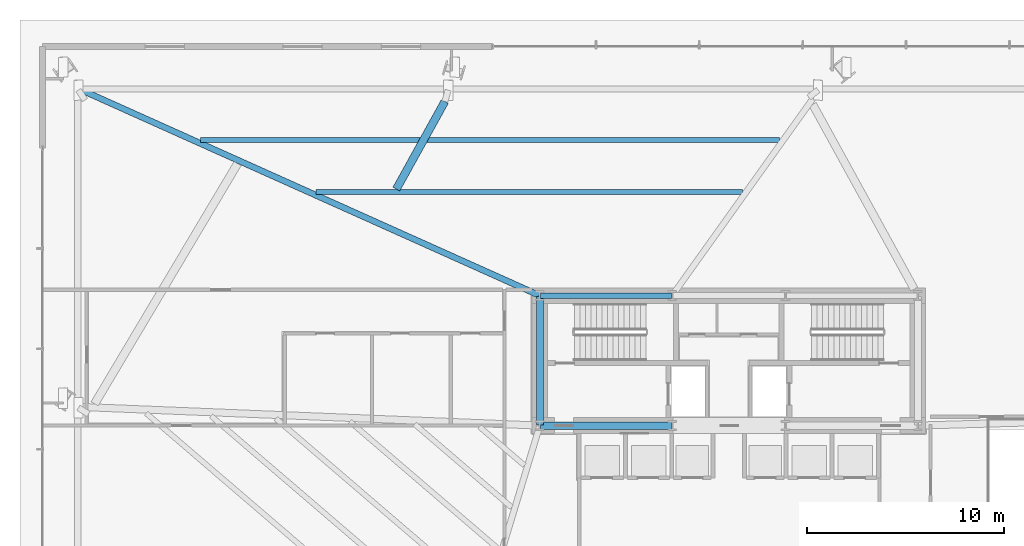
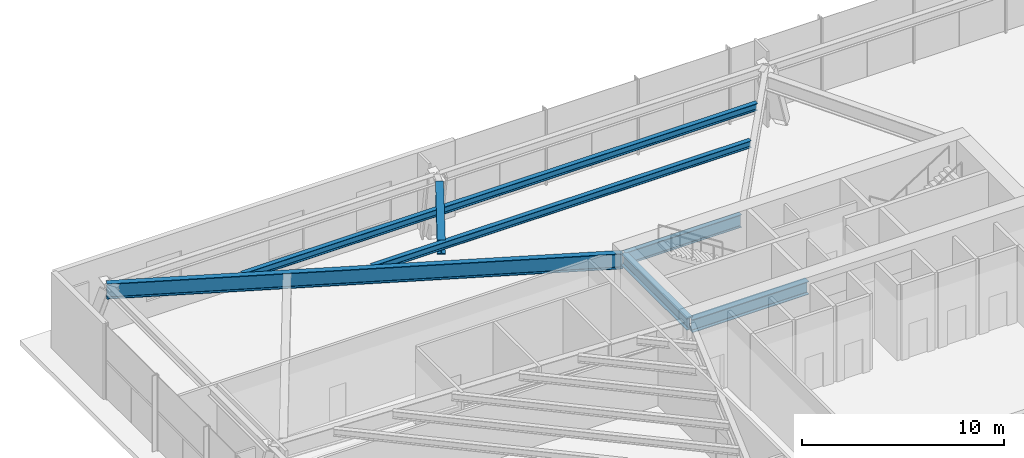
# One storey, part 11 of 31: 7 beams.
"""IFC4 building model written with IfcOpenShell, lengths in metres."""

from ifc_helpers import new_model, si_unit, direction, frame, origin, origin_2d, place, context, subcontext, project, spatial, i_section, extrude, source, transform, mapped, material, material_profile, profile_set, type_object, type_shapes, element, save


model = new_model("IFC4")

# Units and contexts
model_context = context("Model", 3, precision=1e-05, world=origin(), true_north=direction((0.0, 1.0)))
body_context = subcontext(model_context, "Body", "Model", "MODEL_VIEW")
ifc_project = project(units=[si_unit("LENGTHUNIT", "METRE"), si_unit("AREAUNIT", "SQUARE_METRE"), si_unit("VOLUMEUNIT", "CUBIC_METRE"), si_unit("PLANEANGLEUNIT", "RADIAN"), si_unit("MASSUNIT", "GRAM", prefix="KILO")], contexts=[model_context])

# Site, building, storey
site_placement = place(None, origin())
site = spatial("IfcSite", under=ifc_project, at=site_placement, CompositionType="ELEMENT")
building_placement = place(site_placement, origin())
building = spatial("IfcBuilding", under=site, at=building_placement, Name="Astriad Promenade Condominiums", CompositionType="ELEMENT")
storey_placement = place(building_placement, origin())
storey = spatial("IfcBuildingStorey", under=building, at=storey_placement, Name="L00", CompositionType="ELEMENT", Elevation=0.0)

# Beams
ifc_material = material(Name="Steel ASTM A992 Grade 50", Category="steel")
ifc_material_profile_1 = material_profile(ifc_material, i_section(OverallWidth=0.3837890625, OverallDepth=0.785888671875, WebThickness=0.019775390625, FlangeThickness=0.033447265625, FilletRadius=0.021484375, at=origin_2d()), Name="W30X211")
ifc_profile_set_1 = profile_set([ifc_material_profile_1], Name="Steel ASTM A992 Grade 50")
beam_type_1 = type_object("IfcBeamType", Name="STEEL FLOOR GIRDER W30X211", PredefinedType="BEAM", material=ifc_profile_set_1)
shared_shape_1 = source(origin(), body_context, "Body", "SweptSolid", [
    extrude(i_section(OverallWidth=0.3837890625, OverallDepth=0.785888671875, WebThickness=0.019775390625, FlangeThickness=0.033447265625, FilletRadius=0.021484375, at=origin_2d()), origin(), (0.0, 0.0, 1.0), 6.64013671875),
])
type_shapes(beam_type_1, [shared_shape_1])
beam_1_placement = place(storey_placement, frame((26.43994140625, 17.39990234375, 4.18701171875), z_axis=(1.0, 0.0, 0.0), x_axis=(0.0, 1.0, 0.0)))
element("IfcBeam", 1, at=beam_1_placement, inside=storey, type_object=beam_type_1, Name="Core Ring Beam CG-S1-L00", PredefinedType="BEAM", context=body_context, shape_type="MappedRepresentation", body=[
    mapped(shared_shape_1, transform((0.0, 0.0, 0.0), scale=1.0)),
])
ifc_material_profile_2 = material_profile(ifc_material, i_section(OverallWidth=0.267822265625, OverallDepth=0.76953125, WebThickness=0.015625, FlangeThickness=0.025390625, FilletRadius=0.021484375, at=origin_2d()), Name="W30X132")
ifc_profile_set_2 = profile_set([ifc_material_profile_2], Name="Steel ASTM A992 Grade 50")
beam_type_2 = type_object("IfcBeamType", Name="STEEL FLOOR GIRDER W30X132", PredefinedType="BEAM", material=ifc_profile_set_2)
shared_shape_2 = source(origin(), body_context, "Body", "SweptSolid", [
    extrude(i_section(OverallWidth=0.267822265625, OverallDepth=0.76953125, WebThickness=0.015625, FlangeThickness=0.025390625, FilletRadius=0.021484375, at=origin_2d()), origin(), (0.0, 0.0, 1.0), 6.64013671875),
])
type_shapes(beam_type_2, [shared_shape_2])
beam_2_placement = place(storey_placement, frame((26.43994140625, 24.0, 4.1953125), z_axis=(1.0, 0.0, 0.0), x_axis=(0.0, 1.0, 0.0)))
element("IfcBeam", 2, at=beam_2_placement, inside=storey, type_object=beam_type_2, Name="Core Ring Beam CG-N1-L00", PredefinedType="BEAM", context=body_context, shape_type="MappedRepresentation", body=[
    mapped(shared_shape_2, transform((0.0, 0.0, 0.0), scale=1.0)),
])
ifc_material_profile_3 = material_profile(ifc_material, i_section(OverallWidth=0.35791015625, OverallDepth=0.706298828125, WebThickness=0.018310546875, FlangeThickness=0.0302734375, FilletRadius=0.020263671875, at=origin_2d()), Name="W27X178")
ifc_profile_set_3 = profile_set([ifc_material_profile_3], Name="Steel ASTM A992 Grade 50")
beam_type_3 = type_object("IfcBeamType", Name="STEEL FLOOR GIRDER W27X178", PredefinedType="BEAM", material=ifc_profile_set_3)
shared_shape_3 = source(origin(), body_context, "Body", "SweptSolid", [
    extrude(i_section(OverallWidth=0.35791015625, OverallDepth=0.706298828125, WebThickness=0.018310546875, FlangeThickness=0.0302734375, FilletRadius=0.020263671875, at=origin_2d()), origin(), (0.0, 0.0, 1.0), 6.52001953125),
])
type_shapes(beam_type_3, [shared_shape_3])
beam_3_placement = place(storey_placement, frame((26.39990234375, 17.43994140625, 4.226806640625), z_axis=(0.0, 1.0, 0.0), x_axis=(-1.0, 0.0, 0.0)))
element("IfcBeam", 3, at=beam_3_placement, inside=storey, type_object=beam_type_3, Name="Core Ring Beam CG-W1-L00", PredefinedType="BEAM", context=body_context, shape_type="MappedRepresentation", body=[
    mapped(shared_shape_3, transform((0.0, 0.0, 0.0), scale=1.0)),
])
ifc_material_profile_4 = material_profile(ifc_material, i_section(OverallWidth=0.307861328125, OverallDepth=0.9267578125, WebThickness=0.019287109375, FlangeThickness=0.031982421875, FilletRadius=0.024169921875, at=origin_2d()), Name="W36X194")
ifc_profile_set_4 = profile_set([ifc_material_profile_4], Name="Steel ASTM A992 Grade 50")
beam_type_4 = type_object("IfcBeamType", Name="STEEL PRIMARY GIRDER W36X194", PredefinedType="BEAM", material=ifc_profile_set_4)
shared_shape_4 = source(origin(), body_context, "Body", "SweptSolid", [
    extrude(i_section(OverallWidth=0.307861328125, OverallDepth=0.9267578125, WebThickness=0.019287109375, FlangeThickness=0.031982421875, FilletRadius=0.024169921875, at=origin_2d()), origin(), (0.0, 0.0, 1.0), 25.6767578125),
])
type_shapes(beam_type_4, [shared_shape_4])
beam_4_placement = place(storey_placement, frame((2.935546875, 34.52490234375, 4.11669921875), z_axis=(0.912417024621, -0.409261741653, 0.0), x_axis=(0.409261741653, 0.912417024621, 0.0)))
element("IfcBeam", 4, at=beam_4_placement, inside=storey, type_object=beam_type_4, Name="Primary Floor Girder PG-NW-L00", PredefinedType="BEAM", context=body_context, shape_type="MappedRepresentation", body=[
    mapped(shared_shape_4, transform((0.0, 0.0, 0.0), scale=1.0)),
])
ifc_material_profile_5 = material_profile(ifc_material, i_section(OverallWidth=0.26318359375, OverallDepth=0.425537109375, WebThickness=0.01318359375, FlangeThickness=0.022216796875, FilletRadius=0.013916015625, at=origin_2d()), Name="W16X89")
ifc_profile_set_5 = profile_set([ifc_material_profile_5], Name="Steel ASTM A992 Grade 50")
beam_type_5 = type_object("IfcBeamType", Name="STEEL FLOOR JOIST W16X89", PredefinedType="JOIST", material=ifc_profile_set_5)
shared_shape_5 = source(origin(), body_context, "Body", "SweptSolid", [
    extrude(i_section(OverallWidth=0.26318359375, OverallDepth=0.425537109375, WebThickness=0.01318359375, FlangeThickness=0.022216796875, FilletRadius=0.013916015625, at=origin_2d()), origin(), (0.0, 0.0, 1.0), 29.409423828125),
])
beam_5_placement = place(storey_placement, frame((9.16015625, 31.906005859375, 4.3671875), z_axis=(1.0, 0.0, 0.0), x_axis=(0.0, 1.0, 0.0)))
element("IfcBeam", 5, at=beam_5_placement, inside=storey, type_object=beam_type_5, Name="Secondary Composite Floor Joist JNW-1-L00", PredefinedType="JOIST", context=body_context, shape_type="MappedRepresentation", body=[
    mapped(shared_shape_5, transform((0.0, 0.0, 0.0), scale=1.0)),
])
shared_shape_6 = source(origin(), body_context, "Body", "SweptSolid", [
    extrude(i_section(OverallWidth=0.26318359375, OverallDepth=0.425537109375, WebThickness=0.01318359375, FlangeThickness=0.022216796875, FilletRadius=0.013916015625, at=origin_2d()), origin(), (0.0, 0.0, 1.0), 21.6513671875),
])
type_shapes(beam_type_5, [shared_shape_5, shared_shape_6])
beam_6_placement = place(storey_placement, frame((15.035400390625, 29.270751953125, 4.3671875), z_axis=(1.0, 0.0, 0.0), x_axis=(0.0, 1.0, 0.0)))
element("IfcBeam", 6, at=beam_6_placement, inside=storey, type_object=beam_type_5, Name="Secondary Composite Floor Joist JNW-2-L00", PredefinedType="JOIST", context=body_context, shape_type="MappedRepresentation", body=[
    mapped(shared_shape_6, transform((0.0, 0.0, 0.0), scale=1.0)),
])
ifc_material_profile_6 = material_profile(ifc_material, i_section(OverallWidth=0.4013671875, OverallDepth=0.877197265625, WebThickness=0.022216796875, FlangeThickness=0.039794921875, FilletRadius=0.02294921875, at=origin_2d()), Name="W33X263")
ifc_profile_set_6 = profile_set([ifc_material_profile_6], Name="Steel ASTM A992 Grade 50")
beam_type_6 = type_object("IfcBeamType", Name="STEEL TRANSFER CARRIER GIRDER W33X263", PredefinedType="BEAM", material=ifc_profile_set_6)
shared_shape_7 = source(origin(), body_context, "Body", "SweptSolid", [
    extrude(i_section(OverallWidth=0.4013671875, OverallDepth=0.877197265625, WebThickness=0.022216796875, FlangeThickness=0.039794921875, FilletRadius=0.02294921875, at=origin_2d()), origin(), (0.0, 0.0, 1.0), 5.0859375),
])
type_shapes(beam_type_6, [shared_shape_7])
beam_7_placement = place(storey_placement, frame((19.114013671875, 29.4111328125, 4.141357421875), z_axis=(0.484358531673, 0.874869597595, 0.0), x_axis=(-0.874869597595, 0.484358531673, 0.0)))
element("IfcBeam", 7, at=beam_7_placement, inside=storey, type_object=beam_type_6, Name="Transfer Splice Carrier TRM-SP-PC07-L00", PredefinedType="BEAM", context=body_context, shape_type="MappedRepresentation", body=[
    mapped(shared_shape_7, transform((0.0, 0.0, 0.0), scale=1.0)),
])

save(model, "model.ifc")
